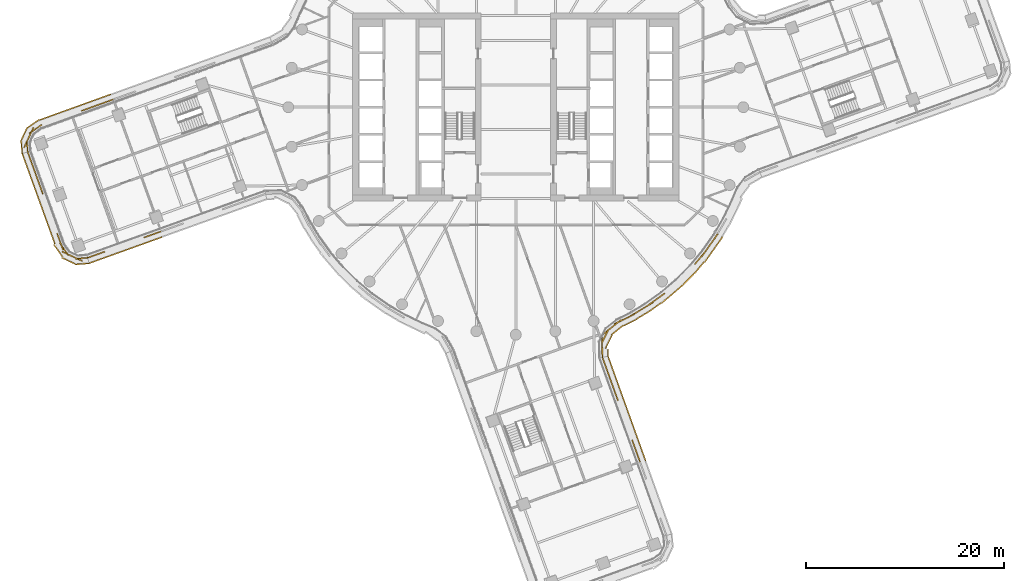
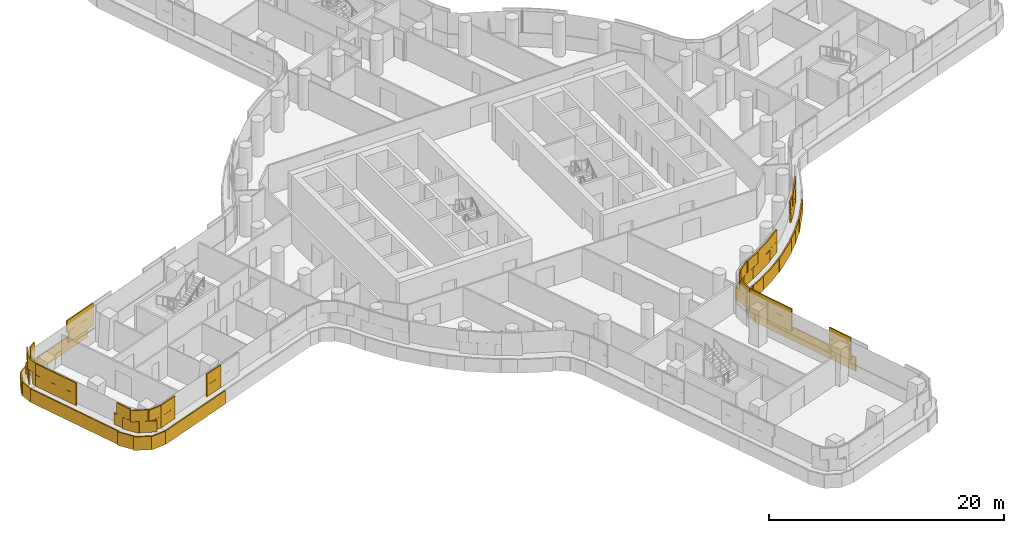
# One storey, part 25 of 30: 5 coverings.
"""IFC4 building model written with IfcOpenShell, lengths in metres."""

from ifc_helpers import new_model, si_unit, direction, frame, origin, origin_2d, place, context, subcontext, project, spatial, rectangle, extrude, material, layer, layer_set, type_object, element, save


model = new_model("IFC4")

# Units and contexts
model_context = context("Model", 3, precision=1e-05, world=origin(), true_north=direction((0.0, 1.0)))
body_context = subcontext(model_context, "Body", "Model", "MODEL_VIEW")
ifc_project = project(units=[si_unit("LENGTHUNIT", "METRE"), si_unit("AREAUNIT", "SQUARE_METRE"), si_unit("VOLUMEUNIT", "CUBIC_METRE"), si_unit("PLANEANGLEUNIT", "RADIAN"), si_unit("MASSUNIT", "GRAM", prefix="KILO")], contexts=[model_context])

# Site, building, storey
site_placement = place(None, origin())
site = spatial("IfcSite", under=ifc_project, at=site_placement, CompositionType="ELEMENT")
building_placement = place(site_placement, origin())
building = spatial("IfcBuilding", under=site, at=building_placement, Name="Tamarind Cross Interchange Tower", CompositionType="ELEMENT")
storey_placement = place(building_placement, frame((0.0, 0.0, 106.0)))
storey = spatial("IfcBuildingStorey", under=building, at=storey_placement, Name="L25", CompositionType="ELEMENT", Elevation=106.0)

# Coverings
ifc_material = material(Name="Terracotta", Category="masonry")
ifc_layer = layer(ifc_material, 0.1201171875)
ifc_layer_set = layer_set([ifc_layer], Name="Terracotta")
covering_type = type_object("IfcCoveringType", Name="Terracotta baguette screen unit", PredefinedType="MOLDING", material=ifc_layer_set)
covering_1_placement = place(storey_placement, origin())
element("IfcCovering", 1, at=covering_1_placement, inside=storey, type_object=covering_type, Name="SCR-L25-00-00", PredefinedType="MOLDING", context=body_context, shape_type="SweptSolid", body=[
    extrude(rectangle(XDim=0.760009765625, YDim=0.1201171875, at=origin_2d()), frame((-49.21240234375, -4.894775390625, 1.404052734375), z_axis=(0.0, 0.0, 1.0), x_axis=(0.339578564011, -0.94057769422, 0.0)), (0.0, 0.0, 1.0), 1.1669921875),
    extrude(rectangle(XDim=1.52001953125, YDim=0.1201171875, at=origin_2d()), frame((-48.830322265625, -5.952880859375, 1.404052734375), z_axis=(0.0, 0.0, 1.0), x_axis=(0.339578564011, -0.94057769422, 0.0)), (0.0, 0.0, 1.0), 1.1669921875),
    extrude(rectangle(XDim=1.52001953125, YDim=0.1201171875, at=origin_2d()), frame((-48.321044921875, -7.36376953125, 1.404052734375), z_axis=(0.0, 0.0, 1.0), x_axis=(0.339578564011, -0.94057769422, 0.0)), (0.0, 0.0, 1.0), 1.1669921875),
    extrude(rectangle(XDim=0.784912109375, YDim=0.1201171875, at=origin_2d()), frame((-47.934814453125, -8.43359375, 1.404052734375), z_axis=(0.0, 0.0, 1.0), x_axis=(0.339578564011, -0.94057769422, 0.0)), (0.0, 0.0, 1.0), 1.1669921875),
    extrude(rectangle(XDim=1.03515625, YDim=0.1201171875, at=origin_2d()), frame((-46.202880859375, -13.23046875, 1.404052734375), z_axis=(0.0, 0.0, 1.0), x_axis=(0.339578564011, -0.94057769422, 0.0)), (0.0, 0.0, 1.0), 1.1669921875),
    extrude(rectangle(XDim=1.52001953125, YDim=0.1201171875, at=origin_2d()), frame((-45.66357421875, -14.361083984375, 1.404052734375), z_axis=(0.0, 0.0, 1.0), x_axis=(0.571447125695, -0.820638886804, 0.0)), (0.0, 0.0, 1.0), 1.1669921875),
    extrude(rectangle(XDim=1.52001953125, YDim=0.1201171875, at=origin_2d()), frame((-44.50439453125, -15.23388671875, 1.404052734375), z_axis=(0.0, 0.0, 1.0), x_axis=(0.905207171174, -0.424970560458, 0.0)), (0.0, 0.0, 1.0), 1.1669921875),
    extrude(rectangle(XDim=0.509521484375, YDim=0.1201171875, at=origin_2d()), frame((-43.5244140625, -15.240234375, 1.404052734375), z_axis=(0.0, 0.0, 1.0), x_axis=(0.996417686153, 0.08456828437, 0.0)), (0.0, 0.0, 1.0), 1.1669921875),
    extrude(rectangle(XDim=1.510009765625, YDim=0.1201171875, at=origin_2d()), frame((-49.0849609375, -5.24755859375, 2.5791015625), z_axis=(0.0, 0.0, 1.0), x_axis=(0.339578564011, -0.94057769422, 0.0)), (0.0, 0.0, 1.0), 1.1669921875),
    extrude(rectangle(XDim=1.52001953125, YDim=0.1201171875, at=origin_2d()), frame((-48.57568359375, -6.658203125, 2.5791015625), z_axis=(0.0, 0.0, 1.0), x_axis=(0.339578564011, -0.94057769422, 0.0)), (0.0, 0.0, 1.0), 1.1669921875),
    extrude(rectangle(XDim=1.52001953125, YDim=0.1201171875, at=origin_2d()), frame((-48.066162109375, -8.069091796875, 2.5791015625), z_axis=(0.0, 0.0, 1.0), x_axis=(0.339578564011, -0.94057769422, 0.0)), (0.0, 0.0, 1.0), 1.1669921875),
    extrude(rectangle(XDim=1.52001953125, YDim=0.1201171875, at=origin_2d()), frame((-46.02880859375, -13.712646484375, 2.5791015625), z_axis=(0.0, 0.0, 1.0), x_axis=(0.339578564011, -0.94057769422, 0.0)), (0.0, 0.0, 1.0), 1.1669921875),
    extrude(rectangle(XDim=1.52001953125, YDim=0.1201171875, at=origin_2d()), frame((-45.183349609375, -14.9150390625, 2.5791015625), z_axis=(0.0, 0.0, 1.0), x_axis=(0.905207171174, -0.424970560458, 0.0)), (0.0, 0.0, 1.0), 1.1669921875),
    extrude(rectangle(XDim=1.259521484375, YDim=0.1201171875, at=origin_2d()), frame((-43.898193359375, -15.27197265625, 2.5791015625), z_axis=(0.0, 0.0, 1.0), x_axis=(0.996417686153, 0.08456828437, 0.0)), (0.0, 0.0, 1.0), 1.1669921875),
    extrude(rectangle(XDim=0.760009765625, YDim=0.1201171875, at=origin_2d()), frame((-49.776123046875, -5.023193359375, 0.00390625), z_axis=(0.0, 0.0, 1.0), x_axis=(0.339578564011, -0.94057769422, 0.0)), (0.0, 0.0, 1.0), 1.39208984375),
    extrude(rectangle(XDim=1.52001953125, YDim=0.1201171875, at=origin_2d()), frame((-49.39599609375, -6.07666015625, 0.00390625), z_axis=(0.0, 0.0, 1.0), x_axis=(0.339578564011, -0.94057769422, 0.0)), (0.0, 0.0, 1.0), 1.39208984375),
    extrude(rectangle(XDim=1.52001953125, YDim=0.1201171875, at=origin_2d()), frame((-48.886474609375, -7.487548828125, 0.00390625), z_axis=(0.0, 0.0, 1.0), x_axis=(0.339578564011, -0.94057769422, 0.0)), (0.0, 0.0, 1.0), 1.39208984375),
    extrude(rectangle(XDim=1.52001953125, YDim=0.1201171875, at=origin_2d()), frame((-48.377197265625, -8.8984375, 0.00390625), z_axis=(0.0, 0.0, 1.0), x_axis=(0.339578564011, -0.94057769422, 0.0)), (0.0, 0.0, 1.0), 1.39208984375),
    extrude(rectangle(XDim=1.52001953125, YDim=0.1201171875, at=origin_2d()), frame((-47.86767578125, -10.309326171875, 0.00390625), z_axis=(0.0, 0.0, 1.0), x_axis=(0.339578564011, -0.94057769422, 0.0)), (0.0, 0.0, 1.0), 1.39208984375),
    extrude(rectangle(XDim=1.52001953125, YDim=0.1201171875, at=origin_2d()), frame((-47.3583984375, -11.72021484375, 0.00390625), z_axis=(0.0, 0.0, 1.0), x_axis=(0.339578564011, -0.94057769422, 0.0)), (0.0, 0.0, 1.0), 1.39208984375),
    extrude(rectangle(XDim=1.52001953125, YDim=0.1201171875, at=origin_2d()), frame((-46.84912109375, -13.131103515625, 0.00390625), z_axis=(0.0, 0.0, 1.0), x_axis=(0.339578564011, -0.94057769422, 0.0)), (0.0, 0.0, 1.0), 1.39208984375),
    extrude(rectangle(XDim=1.52001953125, YDim=0.1201171875, at=origin_2d()), frame((-46.26416015625, -14.5029296875, 0.00390625), z_axis=(0.0, 0.0, 1.0), x_axis=(0.571447125695, -0.820638886804, 0.0)), (0.0, 0.0, 1.0), 1.39208984375),
    extrude(rectangle(XDim=1.52001953125, YDim=0.1201171875, at=origin_2d()), frame((-45.23193359375, -15.5263671875, 0.00390625), z_axis=(0.0, 0.0, 1.0), x_axis=(0.905207171174, -0.424970560458, 0.0)), (0.0, 0.0, 1.0), 1.39208984375),
    extrude(rectangle(XDim=1.4267578125, YDim=0.1201171875, at=origin_2d()), frame((-43.863037109375, -15.844970703125, 0.00390625), z_axis=(0.0, 0.0, 1.0), x_axis=(0.996417686153, 0.08456828437, 0.0)), (0.0, 0.0, 1.0), 1.39208984375),
])
covering_2_placement = place(storey_placement, origin())
element("IfcCovering", 2, at=covering_2_placement, inside=storey, type_object=covering_type, Name="SCR-L25-01-00", PredefinedType="MOLDING", context=body_context, shape_type="SweptSolid", body=[
    extrude(rectangle(XDim=0.760009765625, YDim=0.1201171875, at=origin_2d()), frame((-42.922607421875, -15.09228515625, 1.404052734375), z_axis=(0.0, 0.0, 1.0), x_axis=(0.941099800074, 0.338128919647, 0.0)), (0.0, 0.0, 1.0), 1.1669921875),
    extrude(rectangle(XDim=1.09326171875, YDim=0.1201171875, at=origin_2d()), frame((-42.06005859375, -14.7822265625, 1.404052734375), z_axis=(0.0, 0.0, 1.0), x_axis=(0.941099800074, 0.338128919647, 0.0)), (0.0, 0.0, 1.0), 1.1669921875),
    extrude(rectangle(XDim=0.726806640625, YDim=0.1201171875, at=origin_2d()), frame((-37.260498046875, -13.057861328125, 1.404052734375), z_axis=(0.0, 0.0, 1.0), x_axis=(0.941099800074, 0.338128919647, 0.0)), (0.0, 0.0, 1.0), 1.1669921875),
    extrude(rectangle(XDim=1.12646484375, YDim=0.1201171875, at=origin_2d()), frame((-36.397705078125, -12.748046875, 1.404052734375), z_axis=(0.0, 0.0, 1.0), x_axis=(0.941099800074, 0.338128919647, 0.0)), (0.0, 0.0, 1.0), 1.1669921875),
    extrude(rectangle(XDim=1.510009765625, YDim=0.1201171875, at=origin_2d()), frame((-42.56982421875, -14.965576171875, 2.5791015625), z_axis=(0.0, 0.0, 1.0), x_axis=(0.941099800074, 0.338128919647, 0.0)), (0.0, 0.0, 1.0), 1.1669921875),
    extrude(rectangle(XDim=0.34326171875, YDim=0.1201171875, at=origin_2d()), frame((-41.70703125, -14.655517578125, 2.5791015625), z_axis=(0.0, 0.0, 1.0), x_axis=(0.941099800074, 0.338128919647, 0.0)), (0.0, 0.0, 1.0), 1.1669921875),
    extrude(rectangle(XDim=1.476806640625, YDim=0.1201171875, at=origin_2d()), frame((-36.907470703125, -12.93115234375, 2.5791015625), z_axis=(0.0, 0.0, 1.0), x_axis=(0.941099800074, 0.338128919647, 0.0)), (0.0, 0.0, 1.0), 1.1669921875),
    extrude(rectangle(XDim=0.37646484375, YDim=0.1201171875, at=origin_2d()), frame((-36.044921875, -12.62109375, 2.5791015625), z_axis=(0.0, 0.0, 1.0), x_axis=(0.941099800074, 0.338128919647, 0.0)), (0.0, 0.0, 1.0), 1.1669921875),
    extrude(rectangle(XDim=0.760009765625, YDim=0.1201171875, at=origin_2d()), frame((-42.794677734375, -15.65625, 0.00390625), z_axis=(0.0, 0.0, 1.0), x_axis=(0.941099800074, 0.338128919647, 0.0)), (0.0, 0.0, 1.0), 1.39208984375),
    extrude(rectangle(XDim=1.52001953125, YDim=0.1201171875, at=origin_2d()), frame((-41.740478515625, -15.27734375, 0.00390625), z_axis=(0.0, 0.0, 1.0), x_axis=(0.941099800074, 0.338128919647, 0.0)), (0.0, 0.0, 1.0), 1.39208984375),
    extrude(rectangle(XDim=1.52001953125, YDim=0.1201171875, at=origin_2d()), frame((-40.328857421875, -14.770263671875, 0.00390625), z_axis=(0.0, 0.0, 1.0), x_axis=(0.941099800074, 0.338128919647, 0.0)), (0.0, 0.0, 1.0), 1.39208984375),
    extrude(rectangle(XDim=1.52001953125, YDim=0.1201171875, at=origin_2d()), frame((-38.917236328125, -14.26318359375, 0.00390625), z_axis=(0.0, 0.0, 1.0), x_axis=(0.941099800074, 0.338128919647, 0.0)), (0.0, 0.0, 1.0), 1.39208984375),
    extrude(rectangle(XDim=1.52001953125, YDim=0.1201171875, at=origin_2d()), frame((-37.505615234375, -13.755859375, 0.00390625), z_axis=(0.0, 0.0, 1.0), x_axis=(0.941099800074, 0.338128919647, 0.0)), (0.0, 0.0, 1.0), 1.39208984375),
    extrude(rectangle(XDim=1.11962890625, YDim=0.1201171875, at=origin_2d()), frame((-36.2822265625, -13.31640625, 0.00390625), z_axis=(0.0, 0.0, 1.0), x_axis=(0.941099800074, 0.338128919647, 0.0)), (0.0, 0.0, 1.0), 1.39208984375),
])
covering_3_placement = place(storey_placement, origin())
element("IfcCovering", 3, at=covering_3_placement, inside=storey, type_object=covering_type, Name="SCR-L25-05-01", PredefinedType="MOLDING", context=body_context, shape_type="SweptSolid", body=[
    extrude(rectangle(XDim=0.3935546875, YDim=0.1201171875, at=origin_2d()), frame((12.494384765625, -35.69189453125, 1.404052734375), z_axis=(0.0, 0.0, 1.0), x_axis=(-0.338128919647, 0.941099800074, 0.0)), (0.0, 0.0, 1.0), 1.1669921875),
    extrude(rectangle(XDim=1.52001953125, YDim=0.1201171875, at=origin_2d()), frame((12.17578125, -34.8056640625, 1.404052734375), z_axis=(0.0, 0.0, 1.0), x_axis=(-0.338128919647, 0.941099800074, 0.0)), (0.0, 0.0, 1.0), 1.1669921875),
    extrude(rectangle(XDim=0.52587890625, YDim=0.1201171875, at=origin_2d()), frame((11.835205078125, -33.857177734375, 1.404052734375), z_axis=(0.0, 0.0, 1.0), x_axis=(-0.338128919647, 0.941099800074, 0.0)), (0.0, 0.0, 1.0), 1.1669921875),
    extrude(rectangle(XDim=1.294189453125, YDim=0.1201171875, at=origin_2d()), frame((10.110595703125, -29.0576171875, 1.404052734375), z_axis=(0.0, 0.0, 1.0), x_axis=(-0.338128919647, 0.941099800074, 0.0)), (0.0, 0.0, 1.0), 1.1669921875),
    extrude(rectangle(XDim=1.52001953125, YDim=0.1201171875, at=origin_2d()), frame((9.639892578125, -27.747314453125, 1.404052734375), z_axis=(0.0, 0.0, 1.0), x_axis=(-0.338128919647, 0.941099800074, 0.0)), (0.0, 0.0, 1.0), 1.1669921875),
    extrude(rectangle(XDim=1.52001953125, YDim=0.1201171875, at=origin_2d()), frame((9.1328125, -26.335693359375, 1.404052734375), z_axis=(0.0, 0.0, 1.0), x_axis=(-0.338128919647, 0.941099800074, 0.0)), (0.0, 0.0, 1.0), 1.1669921875),
    extrude(rectangle(XDim=0.37255859375, YDim=0.1201171875, at=origin_2d()), frame((8.81787109375, -25.459228515625, 1.404052734375), z_axis=(0.0, 0.0, 1.0), x_axis=(-0.338128919647, 0.941099800074, 0.0)), (0.0, 0.0, 1.0), 1.1669921875),
    extrude(rectangle(XDim=1.1435546875, YDim=0.1201171875, at=origin_2d()), frame((12.367431640625, -35.339111328125, 2.5791015625), z_axis=(0.0, 0.0, 1.0), x_axis=(-0.338128919647, 0.941099800074, 0.0)), (0.0, 0.0, 1.0), 1.1669921875),
    extrude(rectangle(XDim=1.27587890625, YDim=0.1201171875, at=origin_2d()), frame((11.9619140625, -34.2099609375, 2.5791015625), z_axis=(0.0, 0.0, 1.0), x_axis=(-0.338128919647, 0.941099800074, 0.0)), (0.0, 0.0, 1.0), 1.1669921875),
    extrude(rectangle(XDim=0.544189453125, YDim=0.1201171875, at=origin_2d()), frame((10.237548828125, -29.410400390625, 2.5791015625), z_axis=(0.0, 0.0, 1.0), x_axis=(-0.338128919647, 0.941099800074, 0.0)), (0.0, 0.0, 1.0), 1.1669921875),
    extrude(rectangle(XDim=1.52001953125, YDim=0.1201171875, at=origin_2d()), frame((9.8935546875, -28.453369140625, 2.5791015625), z_axis=(0.0, 0.0, 1.0), x_axis=(-0.338128919647, 0.941099800074, 0.0)), (0.0, 0.0, 1.0), 1.1669921875),
    extrude(rectangle(XDim=1.52001953125, YDim=0.1201171875, at=origin_2d()), frame((9.38623046875, -27.04150390625, 2.5791015625), z_axis=(0.0, 0.0, 1.0), x_axis=(-0.338128919647, 0.941099800074, 0.0)), (0.0, 0.0, 1.0), 1.1669921875),
    extrude(rectangle(XDim=1.12255859375, YDim=0.1201171875, at=origin_2d()), frame((8.944580078125, -25.812255859375, 2.5791015625), z_axis=(0.0, 0.0, 1.0), x_axis=(-0.338128919647, 0.941099800074, 0.0)), (0.0, 0.0, 1.0), 1.1669921875),
    extrude(rectangle(XDim=0.400390625, YDim=0.1201171875, at=origin_2d()), frame((13.059326171875, -35.567138671875, 0.00390625), z_axis=(0.0, 0.0, 1.0), x_axis=(-0.338128919647, 0.941099800074, 0.0)), (0.0, 0.0, 1.0), 1.39208984375),
    extrude(rectangle(XDim=1.52001953125, YDim=0.1201171875, at=origin_2d()), frame((12.741455078125, -34.682373046875, 0.00390625), z_axis=(0.0, 0.0, 1.0), x_axis=(-0.338128919647, 0.941099800074, 0.0)), (0.0, 0.0, 1.0), 1.39208984375),
    extrude(rectangle(XDim=1.52001953125, YDim=0.1201171875, at=origin_2d()), frame((12.234375, -33.270751953125, 0.00390625), z_axis=(0.0, 0.0, 1.0), x_axis=(-0.338128919647, 0.941099800074, 0.0)), (0.0, 0.0, 1.0), 1.39208984375),
    extrude(rectangle(XDim=1.52001953125, YDim=0.1201171875, at=origin_2d()), frame((11.72705078125, -31.85888671875, 0.00390625), z_axis=(0.0, 0.0, 1.0), x_axis=(-0.338128919647, 0.941099800074, 0.0)), (0.0, 0.0, 1.0), 1.39208984375),
    extrude(rectangle(XDim=1.52001953125, YDim=0.1201171875, at=origin_2d()), frame((11.219970703125, -30.447265625, 0.00390625), z_axis=(0.0, 0.0, 1.0), x_axis=(-0.338128919647, 0.941099800074, 0.0)), (0.0, 0.0, 1.0), 1.39208984375),
    extrude(rectangle(XDim=1.52001953125, YDim=0.1201171875, at=origin_2d()), frame((10.712646484375, -29.03564453125, 0.00390625), z_axis=(0.0, 0.0, 1.0), x_axis=(-0.338128919647, 0.941099800074, 0.0)), (0.0, 0.0, 1.0), 1.39208984375),
    extrude(rectangle(XDim=1.52001953125, YDim=0.1201171875, at=origin_2d()), frame((10.20556640625, -27.6240234375, 0.00390625), z_axis=(0.0, 0.0, 1.0), x_axis=(-0.338128919647, 0.941099800074, 0.0)), (0.0, 0.0, 1.0), 1.39208984375),
    extrude(rectangle(XDim=1.52001953125, YDim=0.1201171875, at=origin_2d()), frame((9.6982421875, -26.21240234375, 0.00390625), z_axis=(0.0, 0.0, 1.0), x_axis=(-0.338128919647, 0.941099800074, 0.0)), (0.0, 0.0, 1.0), 1.39208984375),
    extrude(rectangle(XDim=0.356201171875, YDim=0.1201171875, at=origin_2d()), frame((9.387939453125, -25.348388671875, 0.00390625), z_axis=(0.0, 0.0, 1.0), x_axis=(-0.338128919647, 0.941099800074, 0.0)), (0.0, 0.0, 1.0), 1.39208984375),
])
covering_4_placement = place(storey_placement, origin())
element("IfcCovering", 4, at=covering_4_placement, inside=storey, type_object=covering_type, Name="SCR-L25-06-00", PredefinedType="MOLDING", context=body_context, shape_type="SweptSolid", body=[
    extrude(rectangle(XDim=0.760009765625, YDim=0.1201171875, at=origin_2d()), frame((8.745849609375, -24.913818359375, 1.404052734375), z_axis=(0.0, 0.0, 1.0), x_axis=(-0.028447277975, 0.999595294295, 0.0)), (0.0, 0.0, 1.0), 1.1669921875),
    extrude(rectangle(XDim=1.52001953125, YDim=0.1201171875, at=origin_2d()), frame((8.7138671875, -23.789306640625, 1.404052734375), z_axis=(0.0, 0.0, 1.0), x_axis=(-0.028447277975, 0.999595294295, 0.0)), (0.0, 0.0, 1.0), 1.1669921875),
    extrude(rectangle(XDim=1.52001953125, YDim=0.1201171875, at=origin_2d()), frame((9.41845703125, -22.476806640625, 1.404052734375), z_axis=(0.0, 0.0, 1.0), x_axis=(0.779967816426, 0.625819626842, 0.0)), (0.0, 0.0, 1.0), 1.1669921875),
    extrude(rectangle(XDim=1.52001953125, YDim=0.1201171875, at=origin_2d()), frame((10.624755859375, -21.59521484375, 1.404052734375), z_axis=(0.0, 0.0, 1.0), x_axis=(0.89561744741, 0.444825120575, 0.0)), (0.0, 0.0, 1.0), 1.1669921875),
    extrude(rectangle(XDim=1.52001953125, YDim=0.1201171875, at=origin_2d()), frame((11.950439453125, -20.8955078125, 1.404052734375), z_axis=(0.0, 0.0, 1.0), x_axis=(0.856843065292, 0.515577308909, 0.0)), (0.0, 0.0, 1.0), 1.1669921875),
    extrude(rectangle(XDim=1.52001953125, YDim=0.1201171875, at=origin_2d()), frame((13.235595703125, -20.1220703125, 1.404052734375), z_axis=(0.0, 0.0, 1.0), x_axis=(0.856843065292, 0.515577308909, 0.0)), (0.0, 0.0, 1.0), 1.1669921875),
    extrude(rectangle(XDim=1.52001953125, YDim=0.1201171875, at=origin_2d()), frame((14.453857421875, -19.247314453125, 1.404052734375), z_axis=(0.0, 0.0, 1.0), x_axis=(0.811340475102, 0.584573890505, 0.0)), (0.0, 0.0, 1.0), 1.1669921875),
    extrude(rectangle(XDim=1.52001953125, YDim=0.1201171875, at=origin_2d()), frame((18.75439453125, -15.088623046875, 1.404052734375), z_axis=(0.0, 0.0, 1.0), x_axis=(0.643009266048, 0.765858396687, 0.0)), (0.0, 0.0, 1.0), 1.1669921875),
    extrude(rectangle(XDim=1.52001953125, YDim=0.1201171875, at=origin_2d()), frame((19.653076171875, -13.888916015625, 1.404052734375), z_axis=(0.0, 0.0, 1.0), x_axis=(0.577568978284, 0.816341886298, 0.0)), (0.0, 0.0, 1.0), 1.1669921875),
    extrude(rectangle(XDim=0.582275390625, YDim=0.1201171875, at=origin_2d()), frame((20.247802734375, -13.040771484375, 1.404052734375), z_axis=(0.0, 0.0, 1.0), x_axis=(0.508183308752, 0.861248933065, 0.0)), (0.0, 0.0, 1.0), 1.1669921875),
    extrude(rectangle(XDim=1.510009765625, YDim=0.1201171875, at=origin_2d()), frame((8.735107421875, -24.5390625, 2.5791015625), z_axis=(0.0, 0.0, 1.0), x_axis=(-0.028447277975, 0.999595294295, 0.0)), (0.0, 0.0, 1.0), 1.1669921875),
    extrude(rectangle(XDim=1.52001953125, YDim=0.1201171875, at=origin_2d()), frame((9.0458984375, -23.1181640625, 2.5791015625), z_axis=(0.0, 0.0, 1.0), x_axis=(0.448846008017, 0.893609120974, 0.0)), (0.0, 0.0, 1.0), 1.1669921875),
    extrude(rectangle(XDim=1.52001953125, YDim=0.1201171875, at=origin_2d()), frame((10.00341796875, -22.007568359375, 2.5791015625), z_axis=(0.0, 0.0, 1.0), x_axis=(0.779967816426, 0.625819626842, 0.0)), (0.0, 0.0, 1.0), 1.1669921875),
    extrude(rectangle(XDim=1.52001953125, YDim=0.1201171875, at=origin_2d()), frame((11.296630859375, -21.26171875, 2.5791015625), z_axis=(0.0, 0.0, 1.0), x_axis=(0.89561744741, 0.444825120575, 0.0)), (0.0, 0.0, 1.0), 1.1669921875),
    extrude(rectangle(XDim=1.52001953125, YDim=0.1201171875, at=origin_2d()), frame((12.593017578125, -20.5087890625, 2.5791015625), z_axis=(0.0, 0.0, 1.0), x_axis=(0.856843065292, 0.515577308909, 0.0)), (0.0, 0.0, 1.0), 1.1669921875),
    extrude(rectangle(XDim=1.52001953125, YDim=0.1201171875, at=origin_2d()), frame((13.845458984375, -19.685546875, 2.5791015625), z_axis=(0.0, 0.0, 1.0), x_axis=(0.811340475102, 0.584573890505, 0.0)), (0.0, 0.0, 1.0), 1.1669921875),
    extrude(rectangle(XDim=0.76220703125, YDim=0.1201171875, at=origin_2d()), frame((14.759033203125, -19.02734375, 2.5791015625), z_axis=(0.0, 0.0, 1.0), x_axis=(0.811340475102, 0.584573890505, 0.0)), (0.0, 0.0, 1.0), 1.1669921875),
    extrude(rectangle(XDim=1.057861328125, YDim=0.1201171875, at=origin_2d()), frame((18.417724609375, -15.489990234375, 2.5791015625), z_axis=(0.0, 0.0, 1.0), x_axis=(0.643009266048, 0.765858396687, 0.0)), (0.0, 0.0, 1.0), 1.1669921875),
    extrude(rectangle(XDim=1.52001953125, YDim=0.1201171875, at=origin_2d()), frame((19.219970703125, -14.501220703125, 2.5791015625), z_axis=(0.0, 0.0, 1.0), x_axis=(0.577568978284, 0.816341886298, 0.0)), (0.0, 0.0, 1.0), 1.1669921875),
    extrude(rectangle(XDim=1.332275390625, YDim=0.1201171875, at=origin_2d()), frame((20.034912109375, -13.349365234375, 2.5791015625), z_axis=(0.0, 0.0, 1.0), x_axis=(0.577568978284, 0.816341886298, 0.0)), (0.0, 0.0, 1.0), 1.1669921875),
    extrude(rectangle(XDim=0.760009765625, YDim=0.1201171875, at=origin_2d()), frame((9.31689453125, -24.801025390625, 0.00390625), z_axis=(0.0, 0.0, 1.0), x_axis=(-0.028447277975, 0.999595294295, 0.0)), (0.0, 0.0, 1.0), 1.39208984375),
    extrude(rectangle(XDim=1.52001953125, YDim=0.1201171875, at=origin_2d()), frame((9.39306640625, -23.70556640625, 0.00390625), z_axis=(0.0, 0.0, 1.0), x_axis=(0.448846008017, 0.893609120974, 0.0)), (0.0, 0.0, 1.0), 1.39208984375),
    extrude(rectangle(XDim=1.52001953125, YDim=0.1201171875, at=origin_2d()), frame((10.27001953125, -22.529541015625, 0.00390625), z_axis=(0.0, 0.0, 1.0), x_axis=(0.779967816426, 0.625819626842, 0.0)), (0.0, 0.0, 1.0), 1.39208984375),
    extrude(rectangle(XDim=1.52001953125, YDim=0.1201171875, at=origin_2d()), frame((11.556640625, -21.7734375, 0.00390625), z_axis=(0.0, 0.0, 1.0), x_axis=(0.89561744741, 0.444825120575, 0.0)), (0.0, 0.0, 1.0), 1.39208984375),
    extrude(rectangle(XDim=1.52001953125, YDim=0.1201171875, at=origin_2d()), frame((12.853759765625, -21.021728515625, 0.00390625), z_axis=(0.0, 0.0, 1.0), x_axis=(0.856843065292, 0.515577308909, 0.0)), (0.0, 0.0, 1.0), 1.39208984375),
    extrude(rectangle(XDim=1.52001953125, YDim=0.1201171875, at=origin_2d()), frame((14.109130859375, -20.203125, 0.00390625), z_axis=(0.0, 0.0, 1.0), x_axis=(0.811340475102, 0.584573890505, 0.0)), (0.0, 0.0, 1.0), 1.39208984375),
    extrude(rectangle(XDim=1.52001953125, YDim=0.1201171875, at=origin_2d()), frame((15.320068359375, -19.318603515625, 0.00390625), z_axis=(0.0, 0.0, 1.0), x_axis=(0.760295606781, 0.64957723968, 0.0)), (0.0, 0.0, 1.0), 1.39208984375),
    extrude(rectangle(XDim=1.52001953125, YDim=0.1201171875, at=origin_2d()), frame((16.46044921875, -18.34423828125, 0.00390625), z_axis=(0.0, 0.0, 1.0), x_axis=(0.760295606781, 0.64957723968, 0.0)), (0.0, 0.0, 1.0), 1.39208984375),
    extrude(rectangle(XDim=1.52001953125, YDim=0.1201171875, at=origin_2d()), frame((17.540283203125, -17.304443359375, 0.00390625), z_axis=(0.0, 0.0, 1.0), x_axis=(0.704057148523, 0.710143317658, 0.0)), (0.0, 0.0, 1.0), 1.39208984375),
    extrude(rectangle(XDim=1.52001953125, YDim=0.1201171875, at=origin_2d()), frame((18.563232421875, -16.209228515625, 0.00390625), z_axis=(0.0, 0.0, 1.0), x_axis=(0.643009266048, 0.765858396687, 0.0)), (0.0, 0.0, 1.0), 1.39208984375),
    extrude(rectangle(XDim=1.52001953125, YDim=0.1201171875, at=origin_2d()), frame((19.527587890625, -15.06005859375, 0.00390625), z_axis=(0.0, 0.0, 1.0), x_axis=(0.577568978284, 0.816341886298, 0.0)), (0.0, 0.0, 1.0), 1.39208984375),
    extrude(rectangle(XDim=1.52001953125, YDim=0.1201171875, at=origin_2d()), frame((20.39404296875, -13.835693359375, 0.00390625), z_axis=(0.0, 0.0, 1.0), x_axis=(0.577568978284, 0.816341886298, 0.0)), (0.0, 0.0, 1.0), 1.39208984375),
    extrude(rectangle(XDim=0.142578125, YDim=0.1201171875, at=origin_2d()), frame((20.84326171875, -13.160888671875, 0.00390625), z_axis=(0.0, 0.0, 1.0), x_axis=(0.508183308752, 0.861248933065, 0.0)), (0.0, 0.0, 1.0), 1.39208984375),
])
covering_5_placement = place(storey_placement, origin())
element("IfcCovering", 5, at=covering_5_placement, inside=storey, type_object=covering_type, Name="SCR-L25-15-02", PredefinedType="MOLDING", context=body_context, shape_type="SweptSolid", body=[
    extrude(rectangle(XDim=0.219970703125, YDim=0.1201171875, at=origin_2d()), frame((-40.7880859375, 0.7548828125, 1.404052734375), z_axis=(0.0, 0.0, 1.0), x_axis=(-0.94057769422, -0.339578564011, 0.0)), (0.0, 0.0, 1.0), 1.1669921875),
    extrude(rectangle(XDim=1.52001953125, YDim=0.1201171875, at=origin_2d()), frame((-41.59228515625, 0.46435546875, 1.404052734375), z_axis=(0.0, 0.0, 1.0), x_axis=(-0.94057769422, -0.339578564011, 0.0)), (0.0, 0.0, 1.0), 1.1669921875),
    extrude(rectangle(XDim=1.52001953125, YDim=0.1201171875, at=origin_2d()), frame((-43.003173828125, -0.044921875, 1.404052734375), z_axis=(0.0, 0.0, 1.0), x_axis=(-0.94057769422, -0.339578564011, 0.0)), (0.0, 0.0, 1.0), 1.1669921875),
    extrude(rectangle(XDim=1.52001953125, YDim=0.1201171875, at=origin_2d()), frame((-48.57568359375, -2.219482421875, 1.404052734375), z_axis=(0.0, 0.0, 1.0), x_axis=(-0.820638886804, -0.571447125695, 0.0)), (0.0, 0.0, 1.0), 1.1669921875),
    extrude(rectangle(XDim=1.52001953125, YDim=0.1201171875, at=origin_2d()), frame((-49.4033203125, -3.4169921875, 1.404052734375), z_axis=(0.0, 0.0, 1.0), x_axis=(-0.424970560458, -0.905207171174, 0.0)), (0.0, 0.0, 1.0), 1.1669921875),
    extrude(rectangle(XDim=0.39501953125, YDim=0.1201171875, at=origin_2d()), frame((-49.35595703125, -4.350341796875, 1.404052734375), z_axis=(0.0, 0.0, 1.0), x_axis=(0.08456828437, -0.996417686153, 0.0)), (0.0, 0.0, 1.0), 1.1669921875),
    extrude(rectangle(XDim=0.969970703125, YDim=0.1201171875, at=origin_2d()), frame((-41.140869140625, 0.62744140625, 2.5791015625), z_axis=(0.0, 0.0, 1.0), x_axis=(-0.94057769422, -0.339578564011, 0.0)), (0.0, 0.0, 1.0), 1.1669921875),
    extrude(rectangle(XDim=1.52001953125, YDim=0.1201171875, at=origin_2d()), frame((-42.2978515625, 0.209716796875, 2.5791015625), z_axis=(0.0, 0.0, 1.0), x_axis=(-0.94057769422, -0.339578564011, 0.0)), (0.0, 0.0, 1.0), 1.1669921875),
    extrude(rectangle(XDim=0.997314453125, YDim=0.1201171875, at=origin_2d()), frame((-43.467529296875, -0.212646484375, 2.5791015625), z_axis=(0.0, 0.0, 1.0), x_axis=(-0.94057769422, -0.339578564011, 0.0)), (0.0, 0.0, 1.0), 1.1669921875),
    extrude(rectangle(XDim=0.822509765625, YDim=0.1201171875, at=origin_2d()), frame((-48.242431640625, -1.9873046875, 2.5791015625), z_axis=(0.0, 0.0, 1.0), x_axis=(-0.820638886804, -0.571447125695, 0.0)), (0.0, 0.0, 1.0), 1.1669921875),
    extrude(rectangle(XDim=1.52001953125, YDim=0.1201171875, at=origin_2d()), frame((-49.08447265625, -2.738037109375, 2.5791015625), z_axis=(0.0, 0.0, 1.0), x_axis=(-0.424970560458, -0.905207171174, 0.0)), (0.0, 0.0, 1.0), 1.1669921875),
    extrude(rectangle(XDim=1.14501953125, YDim=0.1201171875, at=origin_2d()), frame((-49.3876953125, -3.9765625, 2.5791015625), z_axis=(0.0, 0.0, 1.0), x_axis=(0.08456828437, -0.996417686153, 0.0)), (0.0, 0.0, 1.0), 1.1669921875),
    extrude(rectangle(XDim=0.199462890625, YDim=0.1201171875, at=origin_2d()), frame((-41.0400390625, 1.274169921875, 0.00390625), z_axis=(0.0, 0.0, 1.0), x_axis=(-0.94057769422, -0.339578564011, 0.0)), (0.0, 0.0, 1.0), 1.39208984375),
    extrude(rectangle(XDim=1.52001953125, YDim=0.1201171875, at=origin_2d()), frame((-41.829833984375, 0.989013671875, 0.00390625), z_axis=(0.0, 0.0, 1.0), x_axis=(-0.94057769422, -0.339578564011, 0.0)), (0.0, 0.0, 1.0), 1.39208984375),
    extrude(rectangle(XDim=1.52001953125, YDim=0.1201171875, at=origin_2d()), frame((-43.24072265625, 0.4794921875, 0.00390625), z_axis=(0.0, 0.0, 1.0), x_axis=(-0.94057769422, -0.339578564011, 0.0)), (0.0, 0.0, 1.0), 1.39208984375),
    extrude(rectangle(XDim=1.52001953125, YDim=0.1201171875, at=origin_2d()), frame((-44.651611328125, -0.02978515625, 0.00390625), z_axis=(0.0, 0.0, 1.0), x_axis=(-0.94057769422, -0.339578564011, 0.0)), (0.0, 0.0, 1.0), 1.39208984375),
    extrude(rectangle(XDim=1.52001953125, YDim=0.1201171875, at=origin_2d()), frame((-46.0625, -0.5390625, 0.00390625), z_axis=(0.0, 0.0, 1.0), x_axis=(-0.94057769422, -0.339578564011, 0.0)), (0.0, 0.0, 1.0), 1.39208984375),
    extrude(rectangle(XDim=1.52001953125, YDim=0.1201171875, at=origin_2d()), frame((-47.473388671875, -1.048583984375, 0.00390625), z_axis=(0.0, 0.0, 1.0), x_axis=(-0.94057769422, -0.339578564011, 0.0)), (0.0, 0.0, 1.0), 1.39208984375),
    extrude(rectangle(XDim=1.52001953125, YDim=0.1201171875, at=origin_2d()), frame((-48.81689453125, -1.68798828125, 0.00390625), z_axis=(0.0, 0.0, 1.0), x_axis=(-0.820638886804, -0.571447125695, 0.0)), (0.0, 0.0, 1.0), 1.39208984375),
    extrude(rectangle(XDim=1.52001953125, YDim=0.1201171875, at=origin_2d()), frame((-49.7470703125, -2.798828125, 0.00390625), z_axis=(0.0, 0.0, 1.0), x_axis=(-0.424970560458, -0.905207171174, 0.0)), (0.0, 0.0, 1.0), 1.39208984375),
    extrude(rectangle(XDim=1.19140625, YDim=0.1201171875, at=origin_2d()), frame((-49.95556640625, -4.072265625, 0.00390625), z_axis=(0.0, 0.0, 1.0), x_axis=(0.08456828437, -0.996417686153, 0.0)), (0.0, 0.0, 1.0), 1.39208984375),
])

save(model, "model.ifc")
